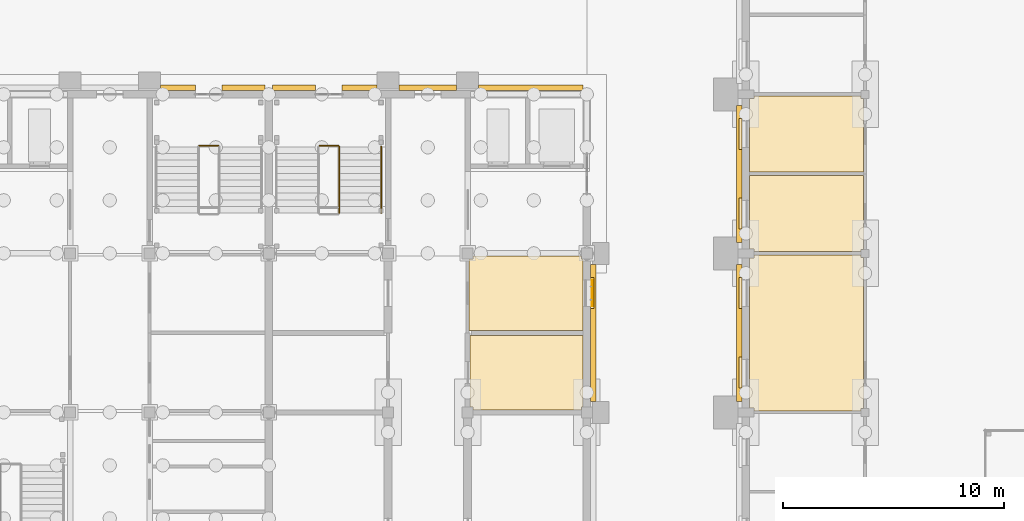
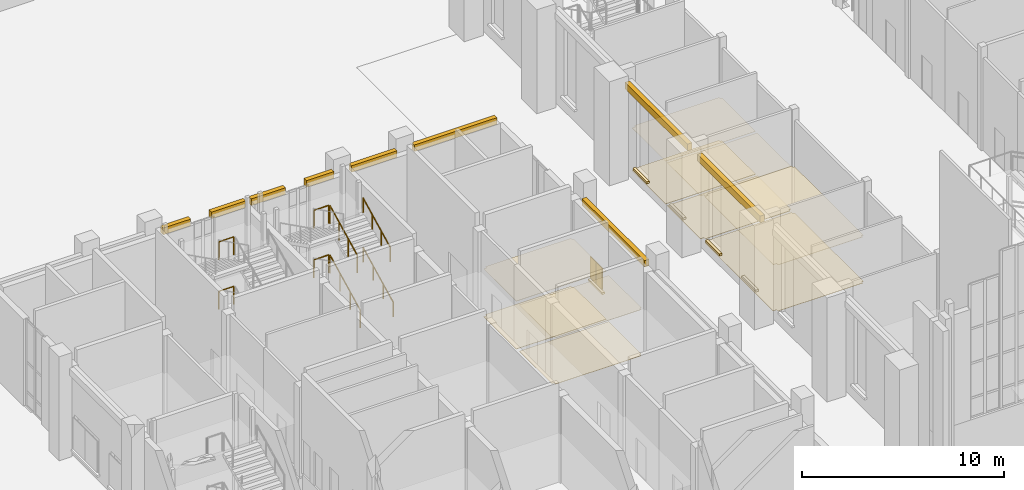
# One storey, part 70 of 84: 26 coverings, 8 railings.
"""IFC4 building model written with IfcOpenShell, lengths in metres."""

import ifcopenshell
import ifcopenshell.guid

model = None  # the IFC model being written
_history = None  # IfcOwnerHistory: only IFC2X3 demands one
_inside = {}  # id of a spatial element -> (the spatial element, [elements in it])
_under = {}  # id of a project, library or spatial element -> (it, [spatial elements below it])
_declared = {}  # id of a project -> (the project, [libraries it declares])
_typed = {}  # id of a type object -> (the type object, [elements of that type])
_made_of = {}  # id of a material, layer set ... -> (it, [elements and type objects made of it])


def new_model(schema):
    """Start an empty IFC model of exactly this schema.

    Asked for "IFC4X3", IfcOpenShell would pick the latest addendum, in which some entities
    have other attributes; the version numbers below select the first issue.
    IFC2X3 requires an IfcOwnerHistory on every rooted entity: one is made here for all.
    """
    global model, _history
    if schema == "IFC4X3":
        model = ifcopenshell.file(schema_version=(4, 3, 0, 0))
    else:
        model = ifcopenshell.file(schema=schema)
    _inside.clear()
    _under.clear()
    _declared.clear()
    _typed.clear()
    _made_of.clear()
    _history = None
    if model.schema == "IFC2X3":
        org = make("IfcOrganization", Name="unknown")
        user = make(
            "IfcPersonAndOrganization",
            ThePerson=make("IfcPerson", FamilyName="unknown"),
            TheOrganization=org,
        )
        app = make(
            "IfcApplication",
            ApplicationDeveloper=org,
            Version="unknown",
            ApplicationFullName="unknown",
            ApplicationIdentifier="unknown",
        )
        _history = make(
            "IfcOwnerHistory",
            OwningUser=user,
            OwningApplication=app,
            ChangeAction="ADDED",
            CreationDate=0,
        )
    return model


def make(cls, **values):
    """One entity of the class cls with the attributes given. An attribute that is None is left unset."""
    return model.create_entity(
        cls, **{name: value for name, value in values.items() if value is not None}
    )


def rooted(cls, **values):
    """An entity with a GlobalId (a new one), such as an element, a storey or a relation."""
    return make(cls, GlobalId=ifcopenshell.guid.new(), OwnerHistory=_history, **values)


def si_unit(unit_type, name, prefix=None):
    """IfcSIUnit, for example si_unit("LENGTHUNIT", "METRE", prefix="MILLI")."""
    return make("IfcSIUnit", UnitType=unit_type, Prefix=prefix, Name=name)


def assignment(units):
    """IfcUnitAssignment: the units of a project."""
    return None if units is None else make("IfcUnitAssignment", Units=units)


def point(xyz):
    """IfcCartesianPoint."""
    return None if xyz is None else make("IfcCartesianPoint", Coordinates=xyz)


def direction(xyz):
    """IfcDirection."""
    return None if xyz is None else make("IfcDirection", DirectionRatios=xyz)


def frame(location, z_axis=None, x_axis=None):
    """IfcAxis2Placement3D, a coordinate frame: its origin and axes. An axis left out is left unset."""
    return make(
        "IfcAxis2Placement3D",
        Location=point(location),
        Axis=direction(z_axis),
        RefDirection=direction(x_axis),
    )


def frame_2d(location, x_axis=None):
    """IfcAxis2Placement2D, a coordinate frame in the plane: its origin and x axis."""
    return make(
        "IfcAxis2Placement2D", Location=point(location), RefDirection=direction(x_axis)
    )


def origin():
    """The frame at (0, 0, 0) with its axes left unset."""
    return frame((0.0, 0.0, 0.0))


def origin_2d():
    """The frame at (0, 0) in the plane with its x axis left unset."""
    return frame_2d((0.0, 0.0))


def place(relative_to, where):
    """IfcLocalPlacement: puts the frame where relative to a parent placement (None: the world)."""
    return make(
        "IfcLocalPlacement", PlacementRelTo=relative_to, RelativePlacement=where
    )


def context(
    kind, dimensions, precision=None, world=None, true_north=None, identifier=None
):
    """IfcGeometricRepresentationContext, for example the 3D "Model" context."""
    return make(
        "IfcGeometricRepresentationContext",
        ContextIdentifier=identifier,
        ContextType=kind,
        CoordinateSpaceDimension=dimensions,
        Precision=precision,
        WorldCoordinateSystem=world,
        TrueNorth=true_north,
    )


def subcontext(parent, identifier, kind, view, scale=None):
    """IfcGeometricRepresentationSubContext, for example "Body" below "Model"."""
    return make(
        "IfcGeometricRepresentationSubContext",
        ContextIdentifier=identifier,
        ContextType=kind,
        ParentContext=parent,
        TargetScale=scale,
        TargetView=view,
    )


def project(units=None, contexts=None):
    """IfcProject with its units and contexts."""
    return rooted(
        "IfcProject",
        Name="project",
        RepresentationContexts=contexts,
        UnitsInContext=assignment(units),
    )


def spatial(cls, under=None, at=None, **own):
    """A site, building, storey or space (cls), placed at a placement, below another one or the project."""
    s = rooted(cls, ObjectPlacement=at, **own)
    if under is not None:
        _under.setdefault(under.id(), (under, []))[1].append(s)
    return s


def polyline(points):
    """IfcPolyline through the points."""
    return make("IfcPolyline", Points=[point(p) for p in points])


def profile(cls, at=None, kind="AREA", **sizes):
    """A parametric profile (cls). Its sizes go by their IFC names, for example OverallWidth=200.0."""
    return make(cls, ProfileType=kind, Position=at, **sizes)


def rectangle(**sizes):
    """IfcRectangleProfileDef."""
    return profile("IfcRectangleProfileDef", **sizes)


def circle(**sizes):
    """IfcCircleProfileDef."""
    return profile("IfcCircleProfileDef", **sizes)


def outline(outer, holes=None, kind="AREA"):
    """IfcArbitraryClosedProfileDef: a profile drawn as a closed curve; with holes, ...WithVoids."""
    if holes is None:
        return make("IfcArbitraryClosedProfileDef", ProfileType=kind, OuterCurve=outer)
    return make(
        "IfcArbitraryProfileDefWithVoids",
        ProfileType=kind,
        OuterCurve=outer,
        InnerCurves=holes,
    )


def extrude(swept, where, along, depth):
    """IfcExtrudedAreaSolid: the profile swept, set in the frame where, extruded along a direction by depth."""
    return make(
        "IfcExtrudedAreaSolid",
        SweptArea=swept,
        Position=where,
        ExtrudedDirection=direction(along),
        Depth=depth,
    )


def shape(context_of_items, identifier, shape_type, items):
    """IfcShapeRepresentation: the items that make up one representation, for example the "Body"."""
    return make(
        "IfcShapeRepresentation",
        ContextOfItems=context_of_items,
        RepresentationIdentifier=identifier,
        RepresentationType=shape_type,
        Items=items,
    )


def material(Name=None, Category=None):
    """IfcMaterial."""
    return make("IfcMaterial", Name=Name, Category=Category)


def layer(
    of_material, thickness, ventilated=None, Name=None, Category=None, Priority=None
):
    """IfcMaterialLayer: one layer of a wall or slab, of a material (None: an air gap)."""
    return make(
        "IfcMaterialLayer",
        Material=of_material,
        LayerThickness=thickness,
        IsVentilated=ventilated,
        Name=Name,
        Category=Category,
        Priority=Priority,
    )


def layer_set(layers, Name=None):
    """IfcMaterialLayerSet."""
    return make("IfcMaterialLayerSet", MaterialLayers=layers, LayerSetName=Name)


def made_of(thing, what):
    """Note that an element or type object is made of a material, layer set ...; save() writes the relation."""
    if what is not None:
        _made_of.setdefault(what.id(), (what, []))[1].append(thing)
    return thing


def type_object(cls, material=None, **own):
    """A type object (cls), such as IfcWallType, which elements share."""
    return made_of(rooted(cls, **own), material)


def element(
    cls,
    number,
    at=None,
    inside=None,
    cuts=None,
    type_object=None,
    material=None,
    context=None,
    identifier="Body",
    shape_type=None,
    held_by="IfcProductDefinitionShape",
    body=None,
    shapes=None,
    **own,
):
    """One element of the class cls, such as IfcWall. Its Tag is "e" and its number.

    at: its placement. inside: the storey or other place that contains it. cuts: it is an
    opening in that element (IfcRelVoidsElement). A single representation is given by context,
    identifier, shape_type and body (its items); several are given by shapes. held_by: the class
    of the entity that holds the representations. save() writes the other relations.
    """
    e = rooted(cls, Tag="e%d" % number, ObjectPlacement=at, **own)
    if body is not None:
        shapes = [shape(context, identifier, shape_type, body)]
    if shapes is not None:
        e.Representation = make(held_by, Representations=shapes)
    if inside is not None:
        _inside.setdefault(inside.id(), (inside, []))[1].append(e)
    if cuts is not None:
        rooted(
            "IfcRelVoidsElement", RelatingBuildingElement=cuts, RelatedOpeningElement=e
        )
    if type_object is not None:
        _typed.setdefault(type_object.id(), (type_object, []))[1].append(e)
    return made_of(e, material)


def aggregate(whole, parts):
    """IfcRelAggregates: a whole, such as a stair, and the parts it consists of."""
    return rooted("IfcRelAggregates", RelatingObject=whole, RelatedObjects=parts)


def save(model, path):
    """Write the relations noted so far, then the file.

    IfcRelAggregates (storeys below a building ...), IfcRelContainedInSpatialStructure (elements
    in a storey), IfcRelDefinesByType, IfcRelAssociatesMaterial and IfcRelDeclares: one each for
    every whole, place, type object, material and project.
    """
    for whole, parts in _under.values():
        aggregate(whole, parts)
    for where, things in _inside.values():
        rooted(
            "IfcRelContainedInSpatialStructure",
            RelatedElements=things,
            RelatingStructure=where,
        )
    for kind, things in _typed.values():
        rooted("IfcRelDefinesByType", RelatedObjects=things, RelatingType=kind)
    for what, things in _made_of.values():
        rooted("IfcRelAssociatesMaterial", RelatedObjects=things, RelatingMaterial=what)
    for by, libraries in _declared.values():
        rooted("IfcRelDeclares", RelatingContext=by, RelatedDefinitions=libraries)
    model.write(path)


model = new_model("IFC4")

# Units and contexts
model_context = context("Model", 3, precision=1e-05, world=origin(), true_north=direction((0.0, 1.0)))
body_context = subcontext(model_context, "Body", "Model", "MODEL_VIEW")
ifc_project = project(units=[si_unit("LENGTHUNIT", "METRE"), si_unit("AREAUNIT", "SQUARE_METRE"), si_unit("VOLUMEUNIT", "CUBIC_METRE"), si_unit("PLANEANGLEUNIT", "RADIAN"), si_unit("MASSUNIT", "GRAM", prefix="KILO")], contexts=[model_context])

# Site, building, storey
site_placement = place(None, origin())
site = spatial("IfcSite", under=ifc_project, at=site_placement, CompositionType="ELEMENT")
building_placement = place(site_placement, origin())
building = spatial("IfcBuilding", under=site, at=building_placement, Name="Mazhai Court Health Centre", CompositionType="ELEMENT")
storey_placement = place(building_placement, origin())
storey = spatial("IfcBuildingStorey", under=building, at=storey_placement, Name="L00", CompositionType="ELEMENT", Elevation=0.0)

# Coverings
ifc_material_1 = material(Name="Clay brick masonry", Category="masonry")
ifc_layer_1 = layer(ifc_material_1, 0.25)
ifc_layer_set_1 = layer_set([ifc_layer_1], Name="BRICK BAND 250")
covering_type_1 = type_object("IfcCoveringType", Name="BRICK BAND 250", PredefinedType="MOLDING", material=ifc_layer_set_1)
covering_1_placement = place(storey_placement, frame((0.0, 0.0, 5.25)))
element("IfcCovering", 1, at=covering_1_placement, inside=storey, type_object=covering_type_1, Name="EB-V2-L00-Ep0-2", PredefinedType="MOLDING", context=body_context, shape_type="SweptSolid", body=[
    extrude(outline(polyline([(15.699951171875, 42.364990234375), (17.280029296875, 42.364990234375), (17.280029296875, 42.614990234375), (15.699951171875, 42.614990234375), (15.699951171875, 42.364990234375)])), origin(), (0.0, 0.0, 1.0), 0.39990234375),
])
covering_2_placement = place(storey_placement, frame((0.0, 0.0, 5.25)))
element("IfcCovering", 2, at=covering_2_placement, inside=storey, type_object=covering_type_1, Name="EB-V2-L00-Ep1-0", PredefinedType="MOLDING", context=body_context, shape_type="SweptSolid", body=[
    extrude(outline(polyline([(18.47998046875, 42.364990234375), (20.43505859375, 42.364990234375), (20.43505859375, 42.614990234375), (18.47998046875, 42.614990234375), (18.47998046875, 42.364990234375)])), origin(), (0.0, 0.0, 1.0), 0.39990234375),
])
covering_3_placement = place(storey_placement, frame((0.0, 0.0, 5.0)))
element("IfcCovering", 3, at=covering_3_placement, inside=storey, type_object=covering_type_1, Name="EB-V5-L00-B3p0-0", PredefinedType="MOLDING", context=body_context, shape_type="SweptSolid", body=[
    extrude(outline(polyline([(35.1650390625, 34.5), (35.1650390625, 28.300048828125), (35.4150390625, 28.300048828125), (35.4150390625, 34.5), (35.1650390625, 34.5)])), origin(), (0.0, 0.0, 1.0), 0.39990234375),
])
covering_4_placement = place(storey_placement, frame((0.0, 0.0, 5.25)))
element("IfcCovering", 4, at=covering_4_placement, inside=storey, type_object=covering_type_1, Name="EB-V5-L00-Ep0-0", PredefinedType="MOLDING", context=body_context, shape_type="SweptSolid", body=[
    extrude(outline(polyline([(20.764892578125, 42.364990234375), (22.719970703125, 42.364990234375), (22.719970703125, 42.614990234375), (20.764892578125, 42.614990234375), (20.764892578125, 42.364990234375)])), origin(), (0.0, 0.0, 1.0), 0.39990234375),
])
covering_5_placement = place(storey_placement, frame((0.0, 0.0, 5.25)))
element("IfcCovering", 5, at=covering_5_placement, inside=storey, type_object=covering_type_1, Name="EB-V5-L00-Ep1-0", PredefinedType="MOLDING", context=body_context, shape_type="SweptSolid", body=[
    extrude(outline(polyline([(23.919921875, 42.364990234375), (25.5, 42.364990234375), (25.5, 42.614990234375), (23.919921875, 42.614990234375), (23.919921875, 42.364990234375)])), origin(), (0.0, 0.0, 1.0), 0.39990234375),
])
covering_6_placement = place(storey_placement, frame((0.0, 0.0, 5.25)))
element("IfcCovering", 6, at=covering_6_placement, inside=storey, type_object=covering_type_1, Name="EB-V5-L00-Ep1-1", PredefinedType="MOLDING", context=body_context, shape_type="SweptSolid", body=[
    extrude(outline(polyline([(26.5, 42.364990234375), (29.10009765625, 42.364990234375), (29.10009765625, 42.614990234375), (26.5, 42.614990234375), (26.5, 42.364990234375)])), origin(), (0.0, 0.0, 1.0), 0.39990234375),
])
covering_7_placement = place(storey_placement, frame((0.0, 0.0, 5.25)))
element("IfcCovering", 7, at=covering_7_placement, inside=storey, type_object=covering_type_1, Name="EB-V5-L00-Ep1-2", PredefinedType="MOLDING", context=body_context, shape_type="SweptSolid", body=[
    extrude(outline(polyline([(30.10009765625, 42.364990234375), (34.8349609375, 42.364990234375), (34.8349609375, 42.614990234375), (30.10009765625, 42.614990234375), (30.10009765625, 42.364990234375)])), origin(), (0.0, 0.0, 1.0), 0.39990234375),
])
covering_8_placement = place(storey_placement, frame((0.0, 0.0, 5.3701171875)))
element("IfcCovering", 8, at=covering_8_placement, inside=storey, type_object=covering_type_1, Name="EB-V1-L00-W2-0", PredefinedType="MOLDING", context=body_context, shape_type="SweptSolid", body=[
    extrude(outline(polyline([(42.034912109375, 28.300048828125), (42.034912109375, 34.5), (41.784912109375, 34.5), (41.784912109375, 28.300048828125), (42.034912109375, 28.300048828125)])), origin(), (0.0, 0.0, 1.0), 0.39990234375),
])
covering_9_placement = place(storey_placement, frame((0.0, 0.0, 5.3701171875)))
element("IfcCovering", 9, at=covering_9_placement, inside=storey, type_object=covering_type_1, Name="EB-V1-L00-W3-0", PredefinedType="MOLDING", context=body_context, shape_type="SweptSolid", body=[
    extrude(outline(polyline([(42.034912109375, 35.5), (42.034912109375, 41.699951171875), (41.784912109375, 41.699951171875), (41.784912109375, 35.5), (42.034912109375, 35.5)])), origin(), (0.0, 0.0, 1.0), 0.39990234375),
])
ifc_material_2 = material(Name="Clay brick masonry", Category="masonry")
ifc_layer_2 = layer(ifc_material_2, 0.14990234375)
ifc_layer_set_2 = layer_set([ifc_layer_2], Name="BRICK SILL COURSE 150")
covering_type_2 = type_object("IfcCoveringType", Name="BRICK SILL COURSE 150", PredefinedType="MOLDING", material=ifc_layer_set_2)
covering_10_placement = place(storey_placement, frame((0.0, 0.0, 0.780029296875)))
element("IfcCovering", 10, at=covering_10_placement, inside=storey, type_object=covering_type_2, Name="ES-WN-V5-L00-B31", PredefinedType="MOLDING", context=body_context, shape_type="SweptSolid", body=[
    extrude(outline(polyline([(35.1650390625, 33.89990234375), (35.1650390625, 32.5), (35.31494140625, 32.5), (35.31494140625, 33.89990234375), (35.1650390625, 33.89990234375)])), origin(), (0.0, 0.0, 1.0), 0.119873046875),
])
covering_11_placement = place(storey_placement, frame((0.0, 0.0, 0.780029296875)))
element("IfcCovering", 11, at=covering_11_placement, inside=storey, type_object=covering_type_2, Name="ES-WN-V1-L00-W2a", PredefinedType="MOLDING", context=body_context, shape_type="SweptSolid", body=[
    extrude(outline(polyline([(42.034912109375, 28.89990234375), (42.034912109375, 30.300048828125), (41.885009765625, 30.300048828125), (41.885009765625, 28.89990234375), (42.034912109375, 28.89990234375)])), origin(), (0.0, 0.0, 1.0), 0.119873046875),
])
covering_12_placement = place(storey_placement, frame((0.0, 0.0, 0.780029296875)))
element("IfcCovering", 12, at=covering_12_placement, inside=storey, type_object=covering_type_2, Name="ES-WN-V1-L00-W2b", PredefinedType="MOLDING", context=body_context, shape_type="SweptSolid", body=[
    extrude(outline(polyline([(42.034912109375, 32.5), (42.034912109375, 33.89990234375), (41.885009765625, 33.89990234375), (41.885009765625, 32.5), (42.034912109375, 32.5)])), origin(), (0.0, 0.0, 1.0), 0.119873046875),
])
covering_13_placement = place(storey_placement, frame((0.0, 0.0, 0.780029296875)))
element("IfcCovering", 13, at=covering_13_placement, inside=storey, type_object=covering_type_2, Name="ES-WN-V1-L00-W3a", PredefinedType="MOLDING", context=body_context, shape_type="SweptSolid", body=[
    extrude(outline(polyline([(42.034912109375, 36.10009765625), (42.034912109375, 37.5), (41.885009765625, 37.5), (41.885009765625, 36.10009765625), (42.034912109375, 36.10009765625)])), origin(), (0.0, 0.0, 1.0), 0.119873046875),
])
covering_14_placement = place(storey_placement, frame((0.0, 0.0, 0.780029296875)))
element("IfcCovering", 14, at=covering_14_placement, inside=storey, type_object=covering_type_2, Name="ES-WN-V1-L00-W3b", PredefinedType="MOLDING", context=body_context, shape_type="SweptSolid", body=[
    extrude(outline(polyline([(42.034912109375, 39.699951171875), (42.034912109375, 41.10009765625), (41.885009765625, 41.10009765625), (41.885009765625, 39.699951171875), (42.034912109375, 39.699951171875)])), origin(), (0.0, 0.0, 1.0), 0.119873046875),
])
ifc_material_3 = material(Name="Gypsum plasterboard ceiling")
ifc_layer_3 = layer(ifc_material_3, 0.02001953125)
ifc_layer_set_3 = layer_set([ifc_layer_3], Name="CEILING GYPSUM BOARD 20")
covering_type_3 = type_object("IfcCoveringType", Name="CEILING GYPSUM BOARD 20", PredefinedType="CEILING", material=ifc_layer_set_3)
covering_15_placement = place(storey_placement, frame((0.0, 0.0, 2.800048828125)))
element("IfcCovering", 15, at=covering_15_placement, inside=storey, type_object=covering_type_3, Name="ceil-V5-L00-B0-ct-control-room", PredefinedType="CEILING", context=body_context, shape_type="SweptSolid", body=[
    extrude(outline(polyline([(29.715087890625, 28.050048828125), (29.85009765625, 28.050048828125), (29.85009765625, 27.9150390625), (34.75, 27.9150390625), (34.75, 28.050048828125), (34.8349609375, 28.050048828125), (34.8349609375, 31.284912109375), (29.715087890625, 31.284912109375), (29.715087890625, 28.050048828125)])), origin(), (0.0, 0.0, 1.0), 0.02001953125),
])
covering_16_placement = place(storey_placement, frame((0.0, 0.0, 2.89990234375)))
element("IfcCovering", 16, at=covering_16_placement, inside=storey, type_object=covering_type_3, Name="ceil-V5-L00-B0-reporting-room", PredefinedType="CEILING", context=body_context, shape_type="SweptSolid", body=[
    extrude(outline(polyline([(34.8349609375, 34.75), (34.75, 34.75), (34.75, 34.875), (29.85009765625, 34.875), (29.85009765625, 34.75), (29.675048828125, 34.75), (29.675048828125, 31.514892578125), (34.8349609375, 31.514892578125), (34.8349609375, 34.75)])), origin(), (0.0, 0.0, 1.0), 0.02001953125),
])
covering_17_placement = place(storey_placement, frame((0.0, 0.0, 2.800048828125)))
element("IfcCovering", 17, at=covering_17_placement, inside=storey, type_object=covering_type_3, Name="ceil-V1-L00-W-pharmacy-dispensing", PredefinedType="CEILING", context=body_context, shape_type="SweptSolid", body=[
    extrude(outline(polyline([(47.52490234375, 34.820068359375), (47.419921875, 34.820068359375), (47.419921875, 34.925048828125), (42.56005859375, 34.925048828125), (42.56005859375, 34.800048828125), (42.364990234375, 34.800048828125), (42.364990234375, 28.0), (42.56005859375, 28.0), (42.56005859375, 27.862548828125), (47.419921875, 27.862548828125), (47.419921875, 27.97998046875), (47.52490234375, 27.97998046875), (47.52490234375, 34.820068359375)])), origin(), (0.0, 0.0, 1.0), 0.02001953125),
])
ifc_material_4 = material(Name="Moisture resistant gypsum ceiling")
ifc_layer_4 = layer(ifc_material_4, 0.014892578125)
ifc_layer_set_4 = layer_set([ifc_layer_4], Name="CEILING MOISTURE RESISTANT BOARD 15")
covering_type_4 = type_object("IfcCoveringType", Name="CEILING MOISTURE RESISTANT BOARD 15", PredefinedType="CEILING", material=ifc_layer_set_4)
covering_18_placement = place(storey_placement, frame((0.0, 0.0, 2.60009765625)))
element("IfcCovering", 18, at=covering_18_placement, inside=storey, type_object=covering_type_4, Name="ceil-V1-L00-W-public-wc-male", PredefinedType="CEILING", context=body_context, shape_type="SweptSolid", body=[
    extrude(outline(polyline([(42.364990234375, 35.199951171875), (42.56005859375, 35.199951171875), (42.56005859375, 35.074951171875), (47.419921875, 35.074951171875), (47.419921875, 35.179931640625), (47.52490234375, 35.179931640625), (47.52490234375, 38.52490234375), (42.364990234375, 38.52490234375), (42.364990234375, 35.199951171875)])), origin(), (0.0, 0.0, 1.0), 0.014892578125),
])
covering_19_placement = place(storey_placement, frame((0.0, 0.0, 2.60009765625)))
element("IfcCovering", 19, at=covering_19_placement, inside=storey, type_object=covering_type_4, Name="ceil-V1-L00-W-public-wc-female", PredefinedType="CEILING", context=body_context, shape_type="SweptSolid", body=[
    extrude(outline(polyline([(47.52490234375, 42.02001953125), (47.419921875, 42.02001953125), (47.419921875, 42.125), (42.56005859375, 42.125), (42.56005859375, 42.0), (42.364990234375, 42.0), (42.364990234375, 38.675048828125), (47.52490234375, 38.675048828125), (47.52490234375, 42.02001953125)])), origin(), (0.0, 0.0, 1.0), 0.014892578125),
])
ifc_material_5 = material(Name="Antistatic vinyl flooring")
ifc_layer_5 = layer(ifc_material_5, 0.02001953125)
ifc_layer_set_5 = layer_set([ifc_layer_5], Name="FLOOR FINISH ANTISTATIC VINYL FLOORING 20")
covering_type_5 = type_object("IfcCoveringType", Name="FLOOR FINISH ANTISTATIC VINYL FLOORING 20", PredefinedType="FLOORING", material=ifc_layer_set_5)
covering_20_placement = place(storey_placement, origin())
element("IfcCovering", 20, at=covering_20_placement, inside=storey, type_object=covering_type_5, Name="floor-V5-L00-B0-ct-control-room", PredefinedType="FLOORING", context=body_context, shape_type="SweptSolid", body=[
    extrude(outline(polyline([(29.715087890625, 28.050048828125), (29.85009765625, 28.050048828125), (29.85009765625, 27.9150390625), (34.75, 27.9150390625), (34.75, 28.050048828125), (34.8349609375, 28.050048828125), (34.8349609375, 31.284912109375), (29.715087890625, 31.284912109375), (29.715087890625, 28.050048828125)])), origin(), (0.0, 0.0, 1.0), 0.02001953125),
])
ifc_material_6 = material(Name="Heavy duty vinyl flooring")
ifc_layer_6 = layer(ifc_material_6, 0.02001953125)
ifc_layer_set_6 = layer_set([ifc_layer_6], Name="FLOOR FINISH HEAVY DUTY VINYL FLOORING 20")
covering_type_6 = type_object("IfcCoveringType", Name="FLOOR FINISH HEAVY DUTY VINYL FLOORING 20", PredefinedType="FLOORING", material=ifc_layer_set_6)
covering_21_placement = place(storey_placement, origin())
element("IfcCovering", 21, at=covering_21_placement, inside=storey, type_object=covering_type_6, Name="floor-V1-L00-W-pharmacy-dispensing", PredefinedType="FLOORING", context=body_context, shape_type="SweptSolid", body=[
    extrude(outline(polyline([(47.52490234375, 34.820068359375), (47.419921875, 34.820068359375), (47.419921875, 34.925048828125), (42.56005859375, 34.925048828125), (42.56005859375, 34.800048828125), (42.364990234375, 34.800048828125), (42.364990234375, 28.0), (42.56005859375, 28.0), (42.56005859375, 27.862548828125), (47.419921875, 27.862548828125), (47.419921875, 27.97998046875), (47.52490234375, 27.97998046875), (47.52490234375, 34.820068359375)])), origin(), (0.0, 0.0, 1.0), 0.02001953125),
])
ifc_material_7 = material(Name="Linoleum flooring")
ifc_layer_7 = layer(ifc_material_7, 0.02001953125)
ifc_layer_set_7 = layer_set([ifc_layer_7], Name="FLOOR FINISH LINOLEUM FLOORING 20")
covering_type_7 = type_object("IfcCoveringType", Name="FLOOR FINISH LINOLEUM FLOORING 20", PredefinedType="FLOORING", material=ifc_layer_set_7)
covering_22_placement = place(storey_placement, origin())
element("IfcCovering", 22, at=covering_22_placement, inside=storey, type_object=covering_type_7, Name="floor-V5-L00-B0-reporting-room", PredefinedType="FLOORING", context=body_context, shape_type="SweptSolid", body=[
    extrude(outline(polyline([(34.8349609375, 34.75), (34.75, 34.75), (34.75, 34.875), (29.85009765625, 34.875), (29.85009765625, 34.75), (29.675048828125, 34.75), (29.675048828125, 31.514892578125), (34.8349609375, 31.514892578125), (34.8349609375, 34.75)])), origin(), (0.0, 0.0, 1.0), 0.02001953125),
])
ifc_material_8 = material(Name="Porcelain tile flooring")
ifc_layer_8 = layer(ifc_material_8, 0.02490234375)
ifc_layer_set_8 = layer_set([ifc_layer_8], Name="FLOOR FINISH PORCELAIN TILE FLOORING 25")
covering_type_8 = type_object("IfcCoveringType", Name="FLOOR FINISH PORCELAIN TILE FLOORING 25", PredefinedType="FLOORING", material=ifc_layer_set_8)
covering_23_placement = place(storey_placement, origin())
element("IfcCovering", 23, at=covering_23_placement, inside=storey, type_object=covering_type_8, Name="floor-V1-L00-W-public-wc-male", PredefinedType="FLOORING", context=body_context, shape_type="SweptSolid", body=[
    extrude(outline(polyline([(42.364990234375, 35.199951171875), (42.56005859375, 35.199951171875), (42.56005859375, 35.074951171875), (47.419921875, 35.074951171875), (47.419921875, 35.179931640625), (47.52490234375, 35.179931640625), (47.52490234375, 38.52490234375), (42.364990234375, 38.52490234375), (42.364990234375, 35.199951171875)])), origin(), (0.0, 0.0, 1.0), 0.02490234375),
])
covering_24_placement = place(storey_placement, origin())
element("IfcCovering", 24, at=covering_24_placement, inside=storey, type_object=covering_type_8, Name="floor-V1-L00-W-public-wc-female", PredefinedType="FLOORING", context=body_context, shape_type="SweptSolid", body=[
    extrude(outline(polyline([(47.52490234375, 42.02001953125), (47.419921875, 42.02001953125), (47.419921875, 42.125), (42.56005859375, 42.125), (42.56005859375, 42.0), (42.364990234375, 42.0), (42.364990234375, 38.675048828125), (47.52490234375, 38.675048828125), (47.52490234375, 42.02001953125)])), origin(), (0.0, 0.0, 1.0), 0.02490234375),
])
ifc_material_9 = material(Name="Aluminium louvre", Category="aluminium")
ifc_layer_9 = layer(ifc_material_9, 0.0400390625)
ifc_layer_set_9 = layer_set([ifc_layer_9], Name="SHUTTER LEAF 600x40")
covering_type_9 = type_object("IfcCoveringType", Name="SHUTTER LEAF 600x40", PredefinedType="CLADDING", material=ifc_layer_set_9)
for number, where, z_axis, x_axis, name in (
    (25, (35.2451171875, 32.89990234375, 1.0), (0.0, 0.0, 1.0), (0.0, 1.0, 0.0), "LV-V5-L00-B31a"),
    (26, (35.2451171875, 33.5, 1.0), (0.0, 0.0, 1.0), (0.0, 1.0, 0.0), "LV-V5-L00-B31b"),
):
    element("IfcCovering", number, at=place(storey_placement, frame(where, z_axis=z_axis, x_axis=x_axis)), inside=storey, type_object=covering_type_9, Name=name, PredefinedType="CLADDING", context=body_context, shape_type="SweptSolid", body=[
        extrude(rectangle(XDim=0.60009765625, YDim=0.0400390625, at=origin_2d()), origin(), (0.0, 0.0, 1.0), 1.300048828125),
    ])

# Railings
ifc_material_10 = material(Name="Steel IS 2062 E250", Category="steel")
railing_type_1 = type_object("IfcRailingType", Name="STAIR GUARD 1100", PredefinedType="GUARDRAIL", material=ifc_material_10)
for number, where, name in (
    (27, (18.304931640625, 39.875, 1.64990234375), "L00 ST3 stair guard 2"),
    (28, (18.304931640625, 39.875, 4.64990234375), "L00 ST3 stair guard 6"),
):
    element("IfcRailing", number, at=place(storey_placement, frame(where)), inside=storey, type_object=railing_type_1, Name=name, PredefinedType="GUARDRAIL", context=body_context, shape_type="SweptSolid", body=[
        extrude(circle(Radius=0.02392578125, at=origin_2d()), frame((0.0, 0.0, 1.076171875), z_axis=(-1.0, 0.0, 0.0), x_axis=(0.0, -1.0, 0.0)), (0.0, 0.0, 1.0), 0.849853515625),
        extrude(circle(Radius=0.02099609375, at=origin_2d()), origin(), (0.0, 0.0, 1.0), 1.052001953125),
        extrude(circle(Radius=0.02099609375, at=origin_2d()), frame((-0.849853515625, 0.0, 0.0)), (0.0, 0.0, 1.0), 1.052001953125),
    ])
railing_1_placement = place(storey_placement, frame((23.794921875, 36.824951171875, 0.14990234375)))
element("IfcRailing", 29, at=railing_1_placement, inside=storey, type_object=railing_type_1, Name="L00 ST5 stair guard 1", PredefinedType="GUARDRAIL", context=body_context, shape_type="SweptSolid", body=[
    extrude(circle(Radius=0.02392578125, at=origin_2d()), frame((0.0, 0.0, 1.076171875), z_axis=(0.0, 0.894427191, 0.4472135955), x_axis=(-1.0, 0.0, 0.0)), (0.0, 0.0, 1.0), 3.35400390625),
    extrude(circle(Radius=0.02099609375, at=origin_2d()), origin(), (0.0, 0.0, 1.0), 1.052001953125),
    extrude(circle(Radius=0.02099609375, at=origin_2d()), frame((0.0, 1.0, 0.5)), (0.0, 0.0, 1.0), 1.052001953125),
    extrude(circle(Radius=0.02099609375, at=origin_2d()), frame((0.0, 2.0, 1.0)), (0.0, 0.0, 1.0), 1.052001953125),
    extrude(circle(Radius=0.02099609375, at=origin_2d()), frame((0.0, 3.0, 1.5)), (0.0, 0.0, 1.0), 1.052001953125),
])
railing_2_placement = place(storey_placement, frame((23.7451171875, 39.875, 1.64990234375)))
element("IfcRailing", 30, at=railing_2_placement, inside=storey, type_object=railing_type_1, Name="L00 ST5 stair guard 2", PredefinedType="GUARDRAIL", context=body_context, shape_type="SweptSolid", body=[
    extrude(circle(Radius=0.02392578125, at=origin_2d()), frame((0.0, 0.0, 1.076171875), z_axis=(-1.0, 0.0, 0.0), x_axis=(0.0, -1.0, 0.0)), (0.0, 0.0, 1.0), 0.85009765625),
    extrude(circle(Radius=0.02099609375, at=origin_2d()), origin(), (0.0, 0.0, 1.0), 1.052001953125),
    extrude(circle(Radius=0.02099609375, at=origin_2d()), frame((-0.85009765625, 0.0, 0.0)), (0.0, 0.0, 1.0), 1.052001953125),
])
railing_3_placement = place(storey_placement, frame((23.794921875, 37.125, 3.300048828125)))
element("IfcRailing", 31, at=railing_3_placement, inside=storey, type_object=railing_type_1, Name="L00 ST5 stair guard 5", PredefinedType="GUARDRAIL", context=body_context, shape_type="SweptSolid", body=[
    extrude(circle(Radius=0.02392578125, at=origin_2d()), frame((0.0, 0.0, 1.076171875), z_axis=(0.0, 0.89444336626, 0.447181243517), x_axis=(-1.0, 0.0, 0.0)), (0.0, 0.0, 1.0), 3.0185546875),
    extrude(circle(Radius=0.02099609375, at=origin_2d()), origin(), (0.0, 0.0, 1.0), 1.052001953125),
    extrude(circle(Radius=0.02099609375, at=origin_2d()), frame((0.0, 0.89990234375, 0.449951171875)), (0.0, 0.0, 1.0), 1.052001953125),
    extrude(circle(Radius=0.02099609375, at=origin_2d()), frame((0.0, 1.800048828125, 0.89990234375)), (0.0, 0.0, 1.0), 1.052001953125),
    extrude(circle(Radius=0.02099609375, at=origin_2d()), frame((0.0, 2.699951171875, 1.349853515625)), (0.0, 0.0, 1.0), 1.052001953125),
])
railing_4_placement = place(storey_placement, frame((23.7451171875, 39.875, 4.64990234375)))
element("IfcRailing", 32, at=railing_4_placement, inside=storey, type_object=railing_type_1, Name="L00 ST5 stair guard 6", PredefinedType="GUARDRAIL", context=body_context, shape_type="SweptSolid", body=[
    extrude(circle(Radius=0.02392578125, at=origin_2d()), frame((0.0, 0.0, 1.076171875), z_axis=(-1.0, 0.0, 0.0), x_axis=(0.0, -1.0, 0.0)), (0.0, 0.0, 1.0), 0.85009765625),
    extrude(circle(Radius=0.02099609375, at=origin_2d()), origin(), (0.0, 0.0, 1.0), 1.052001953125),
    extrude(circle(Radius=0.02099609375, at=origin_2d()), frame((-0.85009765625, 0.0, 0.0)), (0.0, 0.0, 1.0), 1.052001953125),
])
ifc_material_11 = material(Name="Steel IS 2062 E250", Category="steel")
railing_type_2 = type_object("IfcRailingType", Name="STAIR HANDRAIL 900", PredefinedType="HANDRAIL", material=ifc_material_11)
railing_5_placement = place(storey_placement, frame((25.695068359375, 36.824951171875, 0.14990234375)))
element("IfcRailing", 33, at=railing_5_placement, inside=storey, type_object=railing_type_2, Name="L00 ST5 stair handrail 1", PredefinedType="HANDRAIL", context=body_context, shape_type="SweptSolid", body=[
    extrude(circle(Radius=0.02392578125, at=origin_2d()), frame((0.0, 0.0, 0.8759765625), z_axis=(0.0, 0.894427191, 0.4472135955), x_axis=(-1.0, 0.0, 0.0)), (0.0, 0.0, 1.0), 3.35400390625),
    extrude(circle(Radius=0.02099609375, at=origin_2d()), origin(), (0.0, 0.0, 1.0), 0.851806640625),
    extrude(circle(Radius=0.02099609375, at=origin_2d()), frame((0.0, 1.0, 0.5)), (0.0, 0.0, 1.0), 0.851806640625),
    extrude(circle(Radius=0.02099609375, at=origin_2d()), frame((0.0, 2.0, 1.0)), (0.0, 0.0, 1.0), 0.851806640625),
    extrude(circle(Radius=0.02099609375, at=origin_2d()), frame((0.0, 3.0, 1.5)), (0.0, 0.0, 1.0), 0.851806640625),
])
railing_6_placement = place(storey_placement, frame((25.695068359375, 37.125, 3.300048828125)))
element("IfcRailing", 34, at=railing_6_placement, inside=storey, type_object=railing_type_2, Name="L00 ST5 stair handrail 3", PredefinedType="HANDRAIL", context=body_context, shape_type="SweptSolid", body=[
    extrude(circle(Radius=0.02392578125, at=origin_2d()), frame((0.0, 0.0, 0.8759765625), z_axis=(0.0, 0.89444336626, 0.447181243517), x_axis=(-1.0, 0.0, 0.0)), (0.0, 0.0, 1.0), 3.0185546875),
    extrude(circle(Radius=0.02099609375, at=origin_2d()), origin(), (0.0, 0.0, 1.0), 0.851806640625),
    extrude(circle(Radius=0.02099609375, at=origin_2d()), frame((0.0, 0.89990234375, 0.449951171875)), (0.0, 0.0, 1.0), 0.851806640625),
    extrude(circle(Radius=0.02099609375, at=origin_2d()), frame((0.0, 1.800048828125, 0.89990234375)), (0.0, 0.0, 1.0), 0.851806640625),
    extrude(circle(Radius=0.02099609375, at=origin_2d()), frame((0.0, 2.699951171875, 1.349853515625)), (0.0, 0.0, 1.0), 0.851806640625),
])

save(model, "model.ifc")
